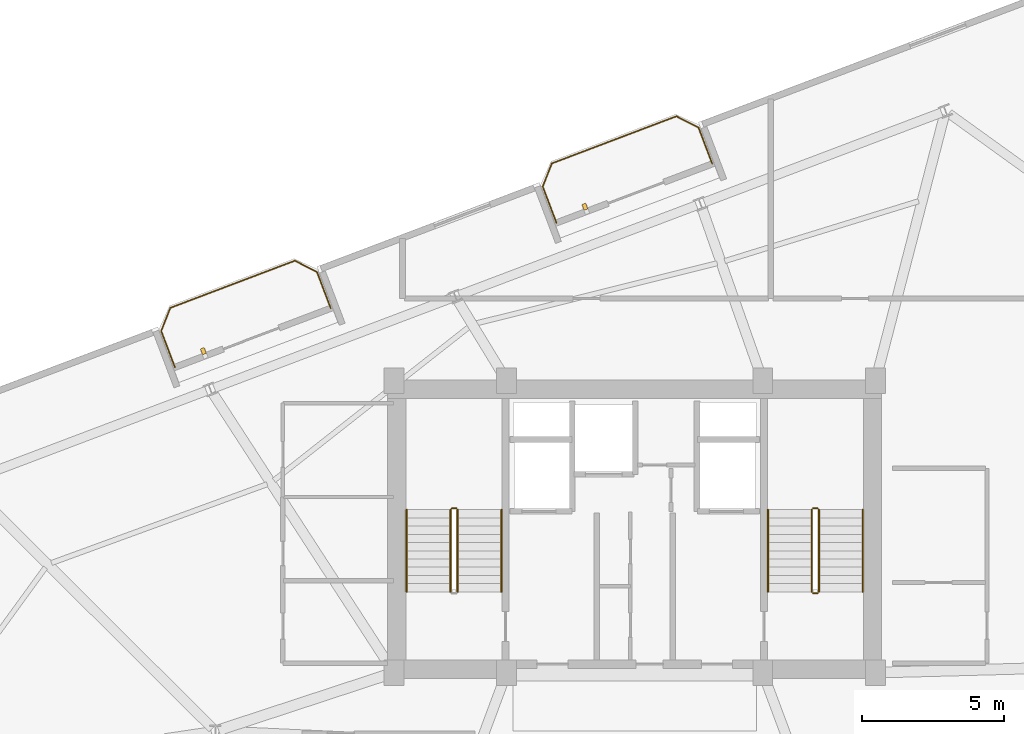
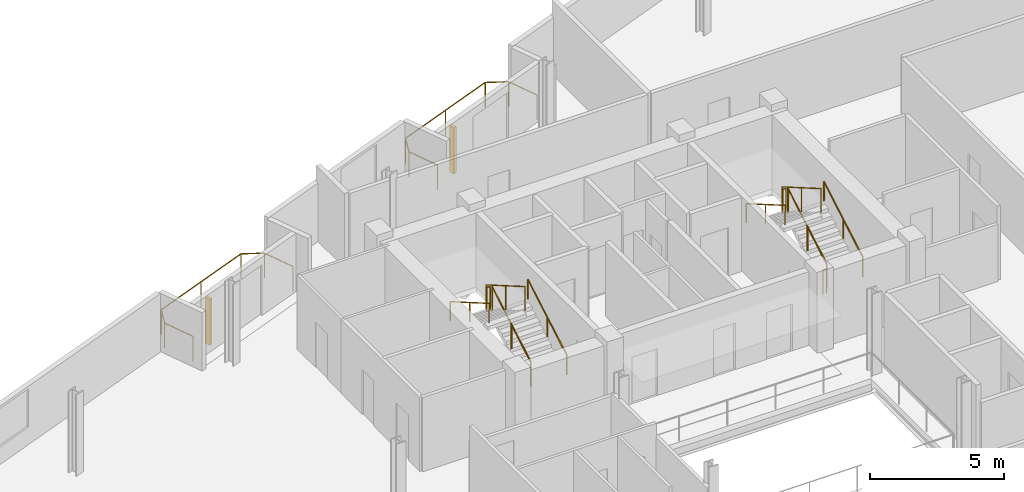
# One storey, part 19 of 19: 13 railings, 2 shading devices.
"""IFC4 building model written with IfcOpenShell, lengths in metres."""

from ifc_helpers import new_model, si_unit, direction, frame, origin, origin_2d, place, context, subcontext, project, spatial, rectangle, circle, extrude, source, transform, mapped, material, type_object, element, save


model = new_model("IFC4")

# Units and contexts
model_context = context("Model", 3, precision=1e-05, world=origin(), true_north=direction((0.0, 1.0)))
body_context = subcontext(model_context, "Body", "Model", "MODEL_VIEW")
ifc_project = project(units=[si_unit("LENGTHUNIT", "METRE"), si_unit("AREAUNIT", "SQUARE_METRE"), si_unit("VOLUMEUNIT", "CUBIC_METRE"), si_unit("PLANEANGLEUNIT", "RADIAN"), si_unit("MASSUNIT", "GRAM", prefix="KILO")], contexts=[model_context])

# Site, building, storey
site_placement = place(None, origin())
site = spatial("IfcSite", under=ifc_project, at=site_placement, CompositionType="ELEMENT")
building_placement = place(site_placement, origin())
building = spatial("IfcBuilding", under=site, at=building_placement, Name="Varnelok Gate Tower", CompositionType="ELEMENT")
storey_placement = place(building_placement, frame((0.0, 0.0, 249.699951171875)))
storey = spatial("IfcBuildingStorey", under=building, at=storey_placement, Name="L64", CompositionType="ELEMENT", Elevation=249.699951171875)

# Railings
ifc_material_1 = material(Name="Low-E Laminated Double Glazing IGU", Category="glass")
railing_type_1 = type_object("IfcRailingType", Name="RL-BALC-1150", PredefinedType="BALUSTRADE", material=ifc_material_1)
railing_1_placement = place(storey_placement, frame((22.971923828125, 39.52587890625, 0.0)))
element("IfcRailing", 1, at=railing_1_placement, inside=storey, type_object=railing_type_1, Name="L64 North Terrace Balustrade 3", PredefinedType="BALUSTRADE", context=body_context, shape_type="SweptSolid", body=[
    extrude(circle(Radius=0.02392578125, at=origin_2d()), frame((0.0, 0.0, 1.1259765625), z_axis=(-0.3541491269, 0.935188962679, 0.0), x_axis=(-0.935188962679, -0.3541491269, 0.0)), (0.0, 0.0, 1.0), 1.369873046875),
    extrude(circle(Radius=0.02392578125, at=origin_2d()), frame((-0.485107421875, 1.281005859375, 1.1259765625), z_axis=(0.366495340819, 0.93041988648, 0.0), x_axis=(-0.93041988648, 0.366495340819, 0.0)), (0.0, 0.0, 1.0), 0.8779296875),
    extrude(circle(Radius=0.02392578125, at=origin_2d()), frame((-0.163330078125, 2.097900390625, 1.1259765625), z_axis=(0.935223045203, 0.354059113314, 0.0), x_axis=(-0.354059113314, 0.935223045203, 0.0)), (0.0, 0.0, 1.0), 4.699951171875),
    extrude(circle(Radius=0.02392578125, at=origin_2d()), frame((4.232177734375, 3.761962890625, 1.1259765625), z_axis=(0.89078254773, -0.454429810487, 0.0), x_axis=(0.454429810487, 0.89078254773, 0.0)), (0.0, 0.0, 1.0), 0.8779296875),
    extrude(circle(Radius=0.02392578125, at=origin_2d()), frame((5.01416015625, 3.363037109375, 1.1259765625), z_axis=(0.354090105886, -0.935211311369, 0.0), x_axis=(0.935211311369, 0.354090105886, 0.0)), (0.0, 0.0, 1.0), 1.3701171875),
    extrude(circle(Radius=0.02099609375, at=origin_2d()), origin(), (0.0, 0.0, 1.0), 1.101806640625),
    extrude(circle(Radius=0.02099609375, at=origin_2d()), frame((-0.485107421875, 1.281005859375, 0.0)), (0.0, 0.0, 1.0), 1.101806640625),
    extrude(circle(Radius=0.02099609375, at=origin_2d()), frame((-0.163330078125, 2.097900390625, 0.0)), (0.0, 0.0, 1.0), 1.101806640625),
    extrude(circle(Radius=0.02099609375, at=origin_2d()), frame((2.034423828125, 2.929931640625, 0.0)), (0.0, 0.0, 1.0), 1.101806640625),
    extrude(circle(Radius=0.02099609375, at=origin_2d()), frame((4.232177734375, 3.761962890625, 0.0)), (0.0, 0.0, 1.0), 1.101806640625),
    extrude(circle(Radius=0.02099609375, at=origin_2d()), frame((5.01416015625, 3.363037109375, 0.0)), (0.0, 0.0, 1.0), 1.101806640625),
    extrude(circle(Radius=0.02099609375, at=origin_2d()), frame((5.499267578125, 2.081787109375, 0.0)), (0.0, 0.0, 1.0), 1.101806640625),
])
railing_2_placement = place(storey_placement, frame((36.439208984375, 44.624267578125, 0.0)))
element("IfcRailing", 2, at=railing_2_placement, inside=storey, type_object=railing_type_1, Name="L64 North Terrace Balustrade 4", PredefinedType="BALUSTRADE", context=body_context, shape_type="SweptSolid", body=[
    extrude(circle(Radius=0.02392578125, at=origin_2d()), frame((0.0, 0.0, 1.1259765625), z_axis=(-0.354090105886, 0.935211311369, 0.0), x_axis=(-0.935211311369, -0.354090105886, 0.0)), (0.0, 0.0, 1.0), 1.3701171875),
    extrude(circle(Radius=0.02392578125, at=origin_2d()), frame((-0.485107421875, 1.28125, 1.1259765625), z_axis=(0.366254584666, 0.930514685113, 0.0), x_axis=(-0.930514685113, 0.366254584666, 0.0)), (0.0, 0.0, 1.0), 0.8779296875),
    extrude(circle(Radius=0.02392578125, at=origin_2d()), frame((-0.16357421875, 2.09814453125, 1.1259765625), z_axis=(0.935229556479, 0.354041913744, 0.0), x_axis=(-0.354041913744, 0.935229556479, 0.0)), (0.0, 0.0, 1.0), 4.7001953125),
    extrude(circle(Radius=0.02392578125, at=origin_2d()), frame((4.232177734375, 3.76220703125, 1.1259765625), z_axis=(0.890612455555, -0.454763074589, 0.0), x_axis=(0.454763074589, 0.890612455555, 0.0)), (0.0, 0.0, 1.0), 0.877685546875),
    extrude(circle(Radius=0.02392578125, at=origin_2d()), frame((5.013916015625, 3.363037109375, 1.1259765625), z_axis=(0.3541491269, -0.935188962679, 0.0), x_axis=(0.935188962679, 0.3541491269, 0.0)), (0.0, 0.0, 1.0), 1.369873046875),
    extrude(circle(Radius=0.02099609375, at=origin_2d()), origin(), (0.0, 0.0, 1.0), 1.101806640625),
    extrude(circle(Radius=0.02099609375, at=origin_2d()), frame((-0.485107421875, 1.28125, 0.0)), (0.0, 0.0, 1.0), 1.101806640625),
    extrude(circle(Radius=0.02099609375, at=origin_2d()), frame((-0.16357421875, 2.09814453125, 0.0)), (0.0, 0.0, 1.0), 1.101806640625),
    extrude(circle(Radius=0.02099609375, at=origin_2d()), frame((2.0341796875, 2.93017578125, 0.0)), (0.0, 0.0, 1.0), 1.101806640625),
    extrude(circle(Radius=0.02099609375, at=origin_2d()), frame((4.232177734375, 3.76220703125, 0.0)), (0.0, 0.0, 1.0), 1.101806640625),
    extrude(circle(Radius=0.02099609375, at=origin_2d()), frame((5.013916015625, 3.363037109375, 0.0)), (0.0, 0.0, 1.0), 1.101806640625),
    extrude(circle(Radius=0.02099609375, at=origin_2d()), frame((5.4990234375, 2.08203125, 0.0)), (0.0, 0.0, 1.0), 1.101806640625),
])
ifc_material_2 = material(Name="Brushed Stainless Steel AISI 316", Category="steel")
railing_type_2 = type_object("IfcRailingType", Name="RL-HANDRAIL-900", PredefinedType="HANDRAIL", material=ifc_material_2)
railing_3_placement = place(storey_placement, frame((34.5, 31.60009765625, 0.168212890625)))
element("IfcRailing", 3, at=railing_3_placement, inside=storey, type_object=railing_type_2, Name="L64 ST-1 stair handrail 1", PredefinedType="HANDRAIL", context=body_context, shape_type="SweptSolid", body=[
    extrude(circle(Radius=0.02392578125, at=origin_2d()), frame((0.0, 0.0, 0.8759765625), z_axis=(0.0, 0.865038774852, 0.501705010941), x_axis=(-1.0, 0.0, 0.0)), (0.0, 0.0, 1.0), 3.352294921875),
    extrude(circle(Radius=0.02099609375, at=origin_2d()), origin(), (0.0, 0.0, 1.0), 0.851806640625),
    extrude(circle(Radius=0.02099609375, at=origin_2d()), frame((0.0, 1.449951171875, 0.8408203125)), (0.0, 0.0, 1.0), 0.851806640625),
    extrude(circle(Radius=0.02099609375, at=origin_2d()), frame((0.0, 2.89990234375, 1.681884765625)), (0.0, 0.0, 1.0), 0.851806640625),
])
railing_4_placement = place(storey_placement, frame((31.14990234375, 34.5, 2.018310546875)))
element("IfcRailing", 4, at=railing_4_placement, inside=storey, type_object=railing_type_2, Name="L64 ST-1 stair handrail 2", PredefinedType="HANDRAIL", context=body_context, shape_type="SweptSolid", body=[
    extrude(circle(Radius=0.02392578125, at=origin_2d()), frame((0.0, 0.0, 0.8759765625), z_axis=(0.0, -0.86507038078, 0.501650512107), x_axis=(1.0, 0.0, 0.0)), (0.0, 0.0, 1.0), 3.352294921875),
    extrude(circle(Radius=0.02099609375, at=origin_2d()), origin(), (0.0, 0.0, 1.0), 0.851806640625),
    extrude(circle(Radius=0.02099609375, at=origin_2d()), frame((0.0, -1.449951171875, 0.8408203125)), (0.0, 0.0, 1.0), 0.851806640625),
    extrude(circle(Radius=0.02099609375, at=origin_2d()), frame((0.0, -2.89990234375, 1.681640625)), (0.0, 0.0, 1.0), 0.851806640625),
])
railing_5_placement = place(storey_placement, frame((47.25, 31.60009765625, 0.168212890625)))
element("IfcRailing", 5, at=railing_5_placement, inside=storey, type_object=railing_type_2, Name="L64 ST-2 stair handrail 1", PredefinedType="HANDRAIL", context=body_context, shape_type="SweptSolid", body=[
    extrude(circle(Radius=0.02392578125, at=origin_2d()), frame((0.0, 0.0, 0.8759765625), z_axis=(0.0, 0.865038774852, 0.501705010941), x_axis=(-1.0, 0.0, 0.0)), (0.0, 0.0, 1.0), 3.352294921875),
    extrude(circle(Radius=0.02099609375, at=origin_2d()), origin(), (0.0, 0.0, 1.0), 0.851806640625),
    extrude(circle(Radius=0.02099609375, at=origin_2d()), frame((0.0, 1.449951171875, 0.8408203125)), (0.0, 0.0, 1.0), 0.851806640625),
    extrude(circle(Radius=0.02099609375, at=origin_2d()), frame((0.0, 2.89990234375, 1.681884765625)), (0.0, 0.0, 1.0), 0.851806640625),
])
railing_6_placement = place(storey_placement, frame((43.89990234375, 34.5, 2.018310546875)))
element("IfcRailing", 6, at=railing_6_placement, inside=storey, type_object=railing_type_2, Name="L64 ST-2 stair handrail 2", PredefinedType="HANDRAIL", context=body_context, shape_type="SweptSolid", body=[
    extrude(circle(Radius=0.02392578125, at=origin_2d()), frame((0.0, 0.0, 0.8759765625), z_axis=(0.0, -0.86507038078, 0.501650512107), x_axis=(1.0, 0.0, 0.0)), (0.0, 0.0, 1.0), 3.352294921875),
    extrude(circle(Radius=0.02099609375, at=origin_2d()), origin(), (0.0, 0.0, 1.0), 0.851806640625),
    extrude(circle(Radius=0.02099609375, at=origin_2d()), frame((0.0, -1.449951171875, 0.8408203125)), (0.0, 0.0, 1.0), 0.851806640625),
    extrude(circle(Radius=0.02099609375, at=origin_2d()), frame((0.0, -2.89990234375, 1.681640625)), (0.0, 0.0, 1.0), 0.851806640625),
])
ifc_material_3 = material(Name="Galvanized Steel Grade S350GD", Category="steel")
railing_type_3 = type_object("IfcRailingType", Name="RL-STAIR-GUARD1120", PredefinedType="GUARDRAIL", material=ifc_material_3)
railing_7_placement = place(storey_placement, frame((32.949951171875, 31.60009765625, 0.168212890625)))
element("IfcRailing", 7, at=railing_7_placement, inside=storey, type_object=railing_type_3, Name="L64 ST-1 stair guard 1", PredefinedType="GUARDRAIL", context=body_context, shape_type="SweptSolid", body=[
    extrude(circle(Radius=0.02392578125, at=origin_2d()), frame((0.0, 0.0, 1.09619140625), z_axis=(0.0, 0.865038774852, 0.501705010941), x_axis=(-1.0, 0.0, 0.0)), (0.0, 0.0, 1.0), 3.352294921875),
    extrude(circle(Radius=0.02099609375, at=origin_2d()), origin(), (0.0, 0.0, 1.0), 1.072021484375),
    extrude(circle(Radius=0.02099609375, at=origin_2d()), frame((0.0, 1.449951171875, 0.8408203125)), (0.0, 0.0, 1.0), 1.072021484375),
    extrude(circle(Radius=0.02099609375, at=origin_2d()), frame((0.0, 2.89990234375, 1.681884765625)), (0.0, 0.0, 1.0), 1.072021484375),
])
railing_8_placement = place(storey_placement, frame((32.89990234375, 34.550048828125, 1.85009765625)))
element("IfcRailing", 8, at=railing_8_placement, inside=storey, type_object=railing_type_3, Name="L64 ST-1 stair guard 2", PredefinedType="GUARDRAIL", context=body_context, shape_type="SweptSolid", body=[
    extrude(circle(Radius=0.02392578125, at=origin_2d()), frame((0.0, 0.0, 1.09619140625), z_axis=(-1.0, 0.0, 0.0), x_axis=(0.0, -1.0, 0.0)), (0.0, 0.0, 1.0), 0.14990234375),
    extrude(circle(Radius=0.02099609375, at=origin_2d()), origin(), (0.0, 0.0, 1.0), 1.072021484375),
    extrude(circle(Radius=0.02099609375, at=origin_2d()), frame((-0.14990234375, 0.0, 0.0)), (0.0, 0.0, 1.0), 1.072021484375),
])
railing_9_placement = place(storey_placement, frame((32.699951171875, 34.5, 2.018310546875)))
element("IfcRailing", 9, at=railing_9_placement, inside=storey, type_object=railing_type_3, Name="L64 ST-1 stair guard 3", PredefinedType="GUARDRAIL", context=body_context, shape_type="SweptSolid", body=[
    extrude(circle(Radius=0.02392578125, at=origin_2d()), frame((0.0, 0.0, 1.09619140625), z_axis=(0.0, -0.86507038078, 0.501650512107), x_axis=(1.0, 0.0, 0.0)), (0.0, 0.0, 1.0), 3.352294921875),
    extrude(circle(Radius=0.02099609375, at=origin_2d()), origin(), (0.0, 0.0, 1.0), 1.072021484375),
    extrude(circle(Radius=0.02099609375, at=origin_2d()), frame((0.0, -1.449951171875, 0.8408203125)), (0.0, 0.0, 1.0), 1.072021484375),
    extrude(circle(Radius=0.02099609375, at=origin_2d()), frame((0.0, -2.89990234375, 1.681640625)), (0.0, 0.0, 1.0), 1.072021484375),
])
railing_10_placement = place(storey_placement, frame((45.699951171875, 31.60009765625, 0.168212890625)))
element("IfcRailing", 10, at=railing_10_placement, inside=storey, type_object=railing_type_3, Name="L64 ST-2 stair guard 1", PredefinedType="GUARDRAIL", context=body_context, shape_type="SweptSolid", body=[
    extrude(circle(Radius=0.02392578125, at=origin_2d()), frame((0.0, 0.0, 1.09619140625), z_axis=(0.0, 0.865038774852, 0.501705010941), x_axis=(-1.0, 0.0, 0.0)), (0.0, 0.0, 1.0), 3.352294921875),
    extrude(circle(Radius=0.02099609375, at=origin_2d()), origin(), (0.0, 0.0, 1.0), 1.072021484375),
    extrude(circle(Radius=0.02099609375, at=origin_2d()), frame((0.0, 1.449951171875, 0.8408203125)), (0.0, 0.0, 1.0), 1.072021484375),
    extrude(circle(Radius=0.02099609375, at=origin_2d()), frame((0.0, 2.89990234375, 1.681884765625)), (0.0, 0.0, 1.0), 1.072021484375),
])
railing_11_placement = place(storey_placement, frame((45.64990234375, 34.550048828125, 1.85009765625)))
element("IfcRailing", 11, at=railing_11_placement, inside=storey, type_object=railing_type_3, Name="L64 ST-2 stair guard 2", PredefinedType="GUARDRAIL", context=body_context, shape_type="SweptSolid", body=[
    extrude(circle(Radius=0.02392578125, at=origin_2d()), frame((0.0, 0.0, 1.09619140625), z_axis=(-1.0, 0.0, 0.0), x_axis=(0.0, -1.0, 0.0)), (0.0, 0.0, 1.0), 0.14990234375),
    extrude(circle(Radius=0.02099609375, at=origin_2d()), origin(), (0.0, 0.0, 1.0), 1.072021484375),
    extrude(circle(Radius=0.02099609375, at=origin_2d()), frame((-0.14990234375, 0.0, 0.0)), (0.0, 0.0, 1.0), 1.072021484375),
])
railing_12_placement = place(storey_placement, frame((45.449951171875, 34.5, 2.018310546875)))
element("IfcRailing", 12, at=railing_12_placement, inside=storey, type_object=railing_type_3, Name="L64 ST-2 stair guard 3", PredefinedType="GUARDRAIL", context=body_context, shape_type="SweptSolid", body=[
    extrude(circle(Radius=0.02392578125, at=origin_2d()), frame((0.0, 0.0, 1.09619140625), z_axis=(0.0, -0.86507038078, 0.501650512107), x_axis=(1.0, 0.0, 0.0)), (0.0, 0.0, 1.0), 3.352294921875),
    extrude(circle(Radius=0.02099609375, at=origin_2d()), origin(), (0.0, 0.0, 1.0), 1.072021484375),
    extrude(circle(Radius=0.02099609375, at=origin_2d()), frame((0.0, -1.449951171875, 0.8408203125)), (0.0, 0.0, 1.0), 1.072021484375),
    extrude(circle(Radius=0.02099609375, at=origin_2d()), frame((0.0, -2.89990234375, 1.681640625)), (0.0, 0.0, 1.0), 1.072021484375),
])
railing_13_placement = place(storey_placement, frame((45.64990234375, 31.550048828125, 0.0)))
element("IfcRailing", 13, at=railing_13_placement, inside=storey, type_object=railing_type_3, Name="L64 ST-2 stair guard 4", PredefinedType="GUARDRAIL", context=body_context, shape_type="SweptSolid", body=[
    extrude(circle(Radius=0.02392578125, at=origin_2d()), frame((0.0, 0.0, 1.09619140625), z_axis=(-1.0, 0.0, 0.0), x_axis=(0.0, -1.0, 0.0)), (0.0, 0.0, 1.0), 0.14990234375),
    extrude(circle(Radius=0.02099609375, at=origin_2d()), origin(), (0.0, 0.0, 1.0), 1.072021484375),
    extrude(circle(Radius=0.02099609375, at=origin_2d()), frame((-0.14990234375, 0.0, 0.0)), (0.0, 0.0, 1.0), 1.072021484375),
])

# Shading devices
ifc_material_4 = material(Name="Glazed Architectural Terracotta Ceramic", Category="masonry")
shading_device_type = type_object("IfcShadingDeviceType", Name="SHD-TERRA-BAGUETTE", PredefinedType="USERDEFINED", material=ifc_material_4)
shared_shape = source(origin(), body_context, "Body", "SweptSolid", [
    extrude(rectangle(XDim=0.139892578125, YDim=0.219970703125, at=origin_2d()), origin(), (0.0, 0.0, 1.0), 2.10009765625),
])
for number, where, z_axis, x_axis, name in (
    (14, (23.974365234375, 40.097900390625, 0.10009765625), (0.0, 0.0, 1.0), (0.935221751401, 0.354062530786, 0.0), "L64 Terracotta Ceramic Baguette Sunscreen 3.1"),
    (15, (37.441650390625, 45.1962890625, 0.10009765625), (0.0, 0.0, 1.0), (0.935221751401, 0.354062530786, 0.0), "L64 Terracotta Ceramic Baguette Sunscreen 4.1"),
):
    element("IfcShadingDevice", number, at=place(storey_placement, frame(where, z_axis=z_axis, x_axis=x_axis)), inside=storey, type_object=shading_device_type, Name=name, ObjectType="BAGUETTE", PredefinedType="USERDEFINED", context=body_context, shape_type="MappedRepresentation", body=[
        mapped(shared_shape, transform((0.0, 0.0, 0.0), scale=1.0)),
    ])

save(model, "model.ifc")
